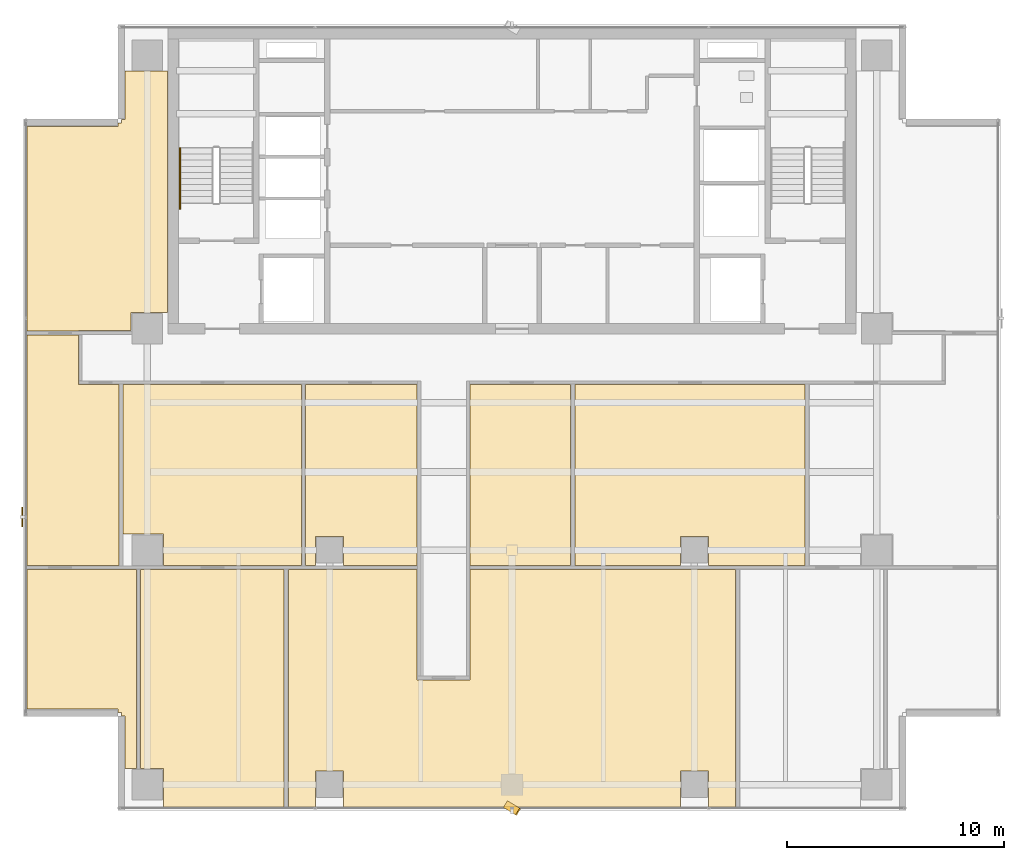
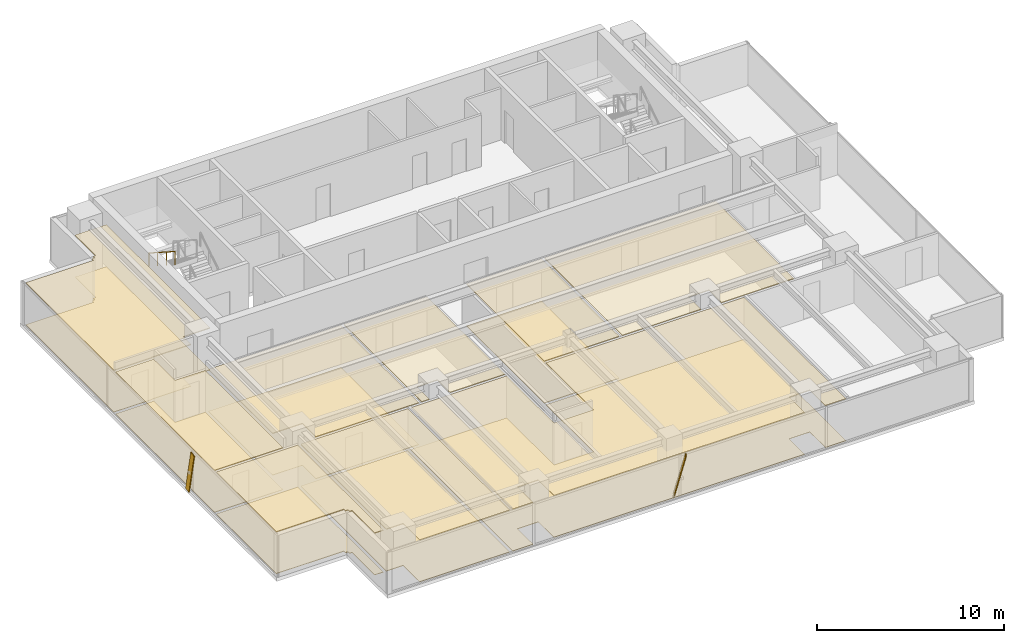
# One storey, part 22 of 25: 16 coverings, 2 shading devices, 1 railing.
"""IFC4 building model written with IfcOpenShell, lengths in metres."""

from ifc_helpers import new_model, si_unit, direction, frame, origin, origin_2d, place, context, subcontext, project, spatial, polyline, rectangle, outline, extrude, source, transform, mapped, material, layer, layer_set, material_profile, profile_set, type_object, element, save


model = new_model("IFC4")

# Units and contexts
model_context = context("Model", 3, precision=1e-05, world=origin(), true_north=direction((0.0, 1.0)))
body_context = subcontext(model_context, "Body", "Model", "MODEL_VIEW")
ifc_project = project(units=[si_unit("LENGTHUNIT", "METRE"), si_unit("AREAUNIT", "SQUARE_METRE"), si_unit("VOLUMEUNIT", "CUBIC_METRE"), si_unit("PLANEANGLEUNIT", "RADIAN"), si_unit("MASSUNIT", "GRAM", prefix="KILO")], contexts=[model_context])

# Site, building, storey
site_placement = place(None, origin())
site = spatial("IfcSite", under=ifc_project, at=site_placement, CompositionType="ELEMENT")
building_placement = place(site_placement, origin())
building = spatial("IfcBuilding", under=site, at=building_placement, Name="Sumidabori Civic Tower", CompositionType="ELEMENT")
storey_placement = place(building_placement, frame((0.0, 0.0, 246.800048828125)))
storey = spatial("IfcBuildingStorey", under=building, at=storey_placement, Name="L64", CompositionType="ELEMENT", Elevation=246.800048828125)

# Coverings
ifc_material_1 = material(Name="Anodised Bronze Baffle Ceiling")
ifc_layer_1 = layer(ifc_material_1, 0.054931640625, Name="Anodised Bronze Baffle Ceiling")
ifc_layer_set_1 = layer_set([ifc_layer_1], Name="Anodised Bronze Baffle Ceiling")
covering_type_1 = type_object("IfcCoveringType", Name="CV-CEIL-AC3", PredefinedType="CEILING", material=ifc_layer_set_1)
covering_1_placement = place(storey_placement, frame((0.0, 0.0, 2.719970703125)))
element("IfcCovering", 1, at=covering_1_placement, inside=storey, type_object=covering_type_1, Name="Room Acoustic Ceiling L64-01", PredefinedType="CEILING", context=body_context, shape_type="SweptSolid", body=[
    extrude(outline(polyline([(-22.330078125, 10.094970703125), (-22.330078125, 19.52197265625), (-18.14208984375, 19.52197265625), (-18.14208984375, 19.679931640625), (-17.97998046875, 19.679931640625), (-17.97998046875, 19.842041015625), (-17.822021484375, 19.842041015625), (-17.822021484375, 22.06005859375), (-15.8779296875, 22.06005859375), (-15.8779296875, 10.93994140625), (-17.5400390625, 10.93994140625), (-17.5400390625, 10.1201171875), (-19.969970703125, 10.1201171875), (-19.969970703125, 10.094970703125), (-22.330078125, 10.094970703125)])), origin(), (0.0, 0.0, 1.0), 0.054931640625),
])
covering_2_placement = place(storey_placement, frame((0.0, 0.0, 2.719970703125)))
element("IfcCovering", 2, at=covering_2_placement, inside=storey, type_object=covering_type_1, Name="Room Acoustic Ceiling L64-03", PredefinedType="CEILING", context=body_context, shape_type="SweptSolid", body=[
    extrude(outline(polyline([(-19.969970703125, 7.6298828125), (-18.094970703125, 7.6298828125), (-18.094970703125, -0.705078125), (-22.330078125, -0.705078125), (-22.330078125, 9.905029296875), (-19.969970703125, 9.905029296875), (-19.969970703125, 7.6298828125)])), origin(), (0.0, 0.0, 1.0), 0.054931640625),
])
covering_3_placement = place(storey_placement, frame((0.0, 0.0, 2.719970703125)))
element("IfcCovering", 3, at=covering_3_placement, inside=storey, type_object=covering_type_1, Name="Room Acoustic Ceiling L64-05", PredefinedType="CEILING", context=body_context, shape_type="SweptSolid", body=[
    extrude(outline(polyline([(-17.905029296875, 7.6298828125), (-9.695068359375, 7.6298828125), (-9.695068359375, -0.705078125), (-16.06005859375, -0.705078125), (-16.06005859375, 0.739990234375), (-17.905029296875, 0.739990234375), (-17.905029296875, 7.6298828125)])), origin(), (0.0, 0.0, 1.0), 0.054931640625),
])
covering_4_placement = place(storey_placement, frame((0.0, 0.0, 2.719970703125)))
element("IfcCovering", 4, at=covering_4_placement, inside=storey, type_object=covering_type_1, Name="Room Acoustic Ceiling L64-06", PredefinedType="CEILING", context=body_context, shape_type="SweptSolid", body=[
    extrude(outline(polyline([(-9.5048828125, 7.6298828125), (-4.3701171875, 7.6298828125), (-4.3701171875, -0.705078125), (-7.760009765625, -0.705078125), (-7.760009765625, 0.639892578125), (-9.0400390625, 0.639892578125), (-9.0400390625, -0.705078125), (-9.5048828125, -0.705078125), (-9.5048828125, 7.6298828125)])), origin(), (0.0, 0.0, 1.0), 0.054931640625),
])
covering_5_placement = place(storey_placement, frame((0.0, 0.0, 2.719970703125)))
element("IfcCovering", 5, at=covering_5_placement, inside=storey, type_object=covering_type_1, Name="Room Acoustic Ceiling L64-07", PredefinedType="CEILING", context=body_context, shape_type="SweptSolid", body=[
    extrude(outline(polyline([(-1.929931640625, 7.6298828125), (2.705078125, 7.6298828125), (2.705078125, -0.705078125), (-1.929931640625, -0.705078125), (-1.929931640625, 7.6298828125)])), origin(), (0.0, 0.0, 1.0), 0.054931640625),
])
covering_6_placement = place(storey_placement, frame((0.0, 0.0, 2.719970703125)))
element("IfcCovering", 6, at=covering_6_placement, inside=storey, type_object=covering_type_1, Name="Room Acoustic Ceiling L64-08", PredefinedType="CEILING", context=body_context, shape_type="SweptSolid", body=[
    extrude(outline(polyline([(2.89501953125, 7.6298828125), (13.5048828125, 7.6298828125), (13.5048828125, -0.705078125), (9.0400390625, -0.705078125), (9.0400390625, 0.639892578125), (7.760009765625, 0.639892578125), (7.760009765625, -0.705078125), (2.89501953125, -0.705078125), (2.89501953125, 7.6298828125)])), origin(), (0.0, 0.0, 1.0), 0.054931640625),
])
covering_7_placement = place(storey_placement, frame((0.0, 0.0, 2.719970703125)))
element("IfcCovering", 7, at=covering_7_placement, inside=storey, type_object=covering_type_1, Name="Room Acoustic Ceiling L64-09", PredefinedType="CEILING", context=body_context, shape_type="SweptSolid", body=[
    extrude(outline(polyline([(-22.330078125, -7.322021484375), (-22.330078125, -0.89501953125), (-17.294921875, -0.89501953125), (-17.294921875, -10.06005859375), (-17.822021484375, -10.06005859375), (-17.822021484375, -7.64208984375), (-17.97998046875, -7.64208984375), (-17.97998046875, -7.47998046875), (-18.14208984375, -7.47998046875), (-18.14208984375, -7.322021484375), (-22.330078125, -7.322021484375)])), origin(), (0.0, 0.0, 1.0), 0.054931640625),
])
covering_8_placement = place(storey_placement, frame((0.0, 0.0, 2.719970703125)))
element("IfcCovering", 8, at=covering_8_placement, inside=storey, type_object=covering_type_1, Name="Room Acoustic Ceiling L64-11", PredefinedType="CEILING", context=body_context, shape_type="SweptSolid", body=[
    extrude(outline(polyline([(-16.06005859375, -10.06005859375), (-17.10498046875, -10.06005859375), (-17.10498046875, -0.89501953125), (-10.4951171875, -0.89501953125), (-10.4951171875, -11.830078125), (-16.06005859375, -11.830078125), (-16.06005859375, -10.06005859375)])), origin(), (0.0, 0.0, 1.0), 0.054931640625),
])
covering_9_placement = place(storey_placement, frame((0.0, 0.0, 2.719970703125)))
element("IfcCovering", 9, at=covering_9_placement, inside=storey, type_object=covering_type_1, Name="Room Acoustic Ceiling L64-13", PredefinedType="CEILING", context=body_context, shape_type="SweptSolid", body=[
    extrude(outline(polyline([(-4.3701171875, -5.969970703125), (-1.929931640625, -5.969970703125), (-1.929931640625, -0.89501953125), (10.304931640625, -0.89501953125), (10.304931640625, -11.830078125), (9.0400390625, -11.830078125), (9.0400390625, -10.159912109375), (7.760009765625, -10.159912109375), (7.760009765625, -11.830078125), (-7.760009765625, -11.830078125), (-7.760009765625, -10.159912109375), (-9.0400390625, -10.159912109375), (-9.0400390625, -11.830078125), (-10.304931640625, -11.830078125), (-10.304931640625, -0.89501953125), (-4.3701171875, -0.89501953125), (-4.3701171875, -5.969970703125)])), origin(), (0.0, 0.0, 1.0), 0.054931640625),
])
ifc_material_2 = material(Name="Honed Terrazzo Tile Flooring")
ifc_layer_2 = layer(ifc_material_2, 0.030029296875, Name="Honed Terrazzo Tile Flooring")
ifc_layer_set_2 = layer_set([ifc_layer_2], Name="Honed Terrazzo Tile Flooring")
covering_type_2 = type_object("IfcCoveringType", Name="CV-FLR-TER", PredefinedType="FLOORING", material=ifc_layer_set_2)
covering_10_placement = place(storey_placement, origin())
element("IfcCovering", 10, at=covering_10_placement, inside=storey, type_object=covering_type_2, Name="Room Terrazzo Floor L64-01", PredefinedType="FLOORING", context=body_context, shape_type="SweptSolid", body=[
    extrude(outline(polyline([(-22.330078125, 10.094970703125), (-22.330078125, 19.52197265625), (-18.14208984375, 19.52197265625), (-18.14208984375, 19.679931640625), (-17.97998046875, 19.679931640625), (-17.97998046875, 19.842041015625), (-17.822021484375, 19.842041015625), (-17.822021484375, 22.06005859375), (-15.8779296875, 22.06005859375), (-15.8779296875, 10.93994140625), (-17.5400390625, 10.93994140625), (-17.5400390625, 10.1201171875), (-19.969970703125, 10.1201171875), (-19.969970703125, 10.094970703125), (-22.330078125, 10.094970703125)])), origin(), (0.0, 0.0, 1.0), 0.030029296875),
])
covering_11_placement = place(storey_placement, origin())
element("IfcCovering", 11, at=covering_11_placement, inside=storey, type_object=covering_type_2, Name="Room Terrazzo Floor L64-03", PredefinedType="FLOORING", context=body_context, shape_type="SweptSolid", body=[
    extrude(outline(polyline([(-19.969970703125, 7.6298828125), (-18.094970703125, 7.6298828125), (-18.094970703125, -0.705078125), (-22.330078125, -0.705078125), (-22.330078125, 9.905029296875), (-19.969970703125, 9.905029296875), (-19.969970703125, 7.6298828125)])), origin(), (0.0, 0.0, 1.0), 0.030029296875),
])
covering_12_placement = place(storey_placement, origin())
element("IfcCovering", 12, at=covering_12_placement, inside=storey, type_object=covering_type_2, Name="Room Terrazzo Floor L64-05", PredefinedType="FLOORING", context=body_context, shape_type="SweptSolid", body=[
    extrude(outline(polyline([(-17.905029296875, 7.6298828125), (-9.695068359375, 7.6298828125), (-9.695068359375, -0.705078125), (-16.06005859375, -0.705078125), (-16.06005859375, 0.739990234375), (-17.905029296875, 0.739990234375), (-17.905029296875, 7.6298828125)])), origin(), (0.0, 0.0, 1.0), 0.030029296875),
])
covering_13_placement = place(storey_placement, origin())
element("IfcCovering", 13, at=covering_13_placement, inside=storey, type_object=covering_type_2, Name="Room Terrazzo Floor L64-07", PredefinedType="FLOORING", context=body_context, shape_type="SweptSolid", body=[
    extrude(outline(polyline([(-1.929931640625, 7.6298828125), (2.705078125, 7.6298828125), (2.705078125, -0.705078125), (-1.929931640625, -0.705078125), (-1.929931640625, 7.6298828125)])), origin(), (0.0, 0.0, 1.0), 0.030029296875),
])
covering_14_placement = place(storey_placement, origin())
element("IfcCovering", 14, at=covering_14_placement, inside=storey, type_object=covering_type_2, Name="Room Terrazzo Floor L64-09", PredefinedType="FLOORING", context=body_context, shape_type="SweptSolid", body=[
    extrude(outline(polyline([(-22.330078125, -7.322021484375), (-22.330078125, -0.89501953125), (-17.294921875, -0.89501953125), (-17.294921875, -10.06005859375), (-17.822021484375, -10.06005859375), (-17.822021484375, -7.64208984375), (-17.97998046875, -7.64208984375), (-17.97998046875, -7.47998046875), (-18.14208984375, -7.47998046875), (-18.14208984375, -7.322021484375), (-22.330078125, -7.322021484375)])), origin(), (0.0, 0.0, 1.0), 0.030029296875),
])
covering_15_placement = place(storey_placement, origin())
element("IfcCovering", 15, at=covering_15_placement, inside=storey, type_object=covering_type_2, Name="Room Terrazzo Floor L64-11", PredefinedType="FLOORING", context=body_context, shape_type="SweptSolid", body=[
    extrude(outline(polyline([(-16.06005859375, -10.06005859375), (-17.10498046875, -10.06005859375), (-17.10498046875, -0.89501953125), (-10.4951171875, -0.89501953125), (-10.4951171875, -11.830078125), (-16.06005859375, -11.830078125), (-16.06005859375, -10.06005859375)])), origin(), (0.0, 0.0, 1.0), 0.030029296875),
])
covering_16_placement = place(storey_placement, origin())
element("IfcCovering", 16, at=covering_16_placement, inside=storey, type_object=covering_type_2, Name="Room Terrazzo Floor L64-13", PredefinedType="FLOORING", context=body_context, shape_type="SweptSolid", body=[
    extrude(outline(polyline([(-4.3701171875, -5.969970703125), (-1.929931640625, -5.969970703125), (-1.929931640625, -0.89501953125), (10.304931640625, -0.89501953125), (10.304931640625, -11.830078125), (9.0400390625, -11.830078125), (9.0400390625, -10.159912109375), (7.760009765625, -10.159912109375), (7.760009765625, -11.830078125), (-7.760009765625, -11.830078125), (-7.760009765625, -10.159912109375), (-9.0400390625, -10.159912109375), (-9.0400390625, -11.830078125), (-10.304931640625, -11.830078125), (-10.304931640625, -0.89501953125), (-4.3701171875, -0.89501953125), (-4.3701171875, -5.969970703125)])), origin(), (0.0, 0.0, 1.0), 0.030029296875),
])

# Railing
ifc_material_3 = material(Name="Stainless Steel Hairline Finish", Category="steel")
railing_type = type_object("IfcRailingType", Name="RL-HANDRAIL", PredefinedType="HANDRAIL", material=ifc_material_3)
railing_placement = place(storey_placement, frame((-15.2900390625, 18.52001953125, 1.97998046875)))
element("IfcRailing", 17, at=railing_placement, inside=storey, type_object=railing_type, Name="L64 ST-1 stair handrail 2", PredefinedType="HANDRAIL", context=body_context, shape_type="SweptSolid", body=[
    extrude(rectangle(XDim=0.048095703125, YDim=0.048095703125, at=origin_2d()), frame((0.0, 0.0, 0.8759765625), z_axis=(0.0, -0.840675598268, 0.541539046124), x_axis=(1.0, 0.0, 0.0)), (0.0, 0.0, 1.0), 3.330810546875),
    extrude(rectangle(XDim=0.0419921875, YDim=0.0419921875, at=origin_2d()), origin(), (0.0, 0.0, 1.0), 0.851806640625),
    extrude(rectangle(XDim=0.0419921875, YDim=0.0419921875, at=origin_2d()), frame((0.0, -0.933349609375, 0.601318359375)), (0.0, 0.0, 1.0), 0.851806640625),
    extrude(rectangle(XDim=0.0419921875, YDim=0.0419921875, at=origin_2d()), frame((0.0, -1.86669921875, 1.202392578125)), (0.0, 0.0, 1.0), 0.851806640625),
    extrude(rectangle(XDim=0.0419921875, YDim=0.0419921875, at=origin_2d()), frame((0.0, -2.800048828125, 1.8037109375)), (0.0, 0.0, 1.0), 0.851806640625),
])

# Shading devices
ifc_material_4 = material(Name="Anodised Bronze Aluminium AW-6063-T6", Category="aluminium")
ifc_material_profile = material_profile(ifc_material_4, rectangle(XDim=0.054931640625, YDim=0.360107421875, at=origin_2d()), Name="BRONZE FIN 360x55")
ifc_profile_set = profile_set([ifc_material_profile], Name="Anodised Bronze Aluminium AW-6063-T6")
shading_device_type = type_object("IfcShadingDeviceType", Name="SH-FIN-360", PredefinedType="USERDEFINED", material=ifc_profile_set)
shared_shape_1 = source(origin(), body_context, "Body", "SweptSolid", [
    extrude(rectangle(XDim=0.054931640625, YDim=0.360107421875, at=origin_2d()), origin(), (0.0, 0.0, 1.0), 2.7685546875),
])
shading_device_1_placement = place(storey_placement, frame((-0.280029296875, -11.7099609375, 0.02001953125), z_axis=(0.202289930374, -0.122837782481, 0.971591304646), x_axis=(0.830469701518, -0.504291322674, -0.236665030656)))
element("IfcShadingDevice", 18, at=shading_device_1_placement, inside=storey, type_object=shading_device_type, Name="Bronze Anodised Diagonal Fin L64-02", ObjectType="FIN", PredefinedType="USERDEFINED", context=body_context, shape_type="MappedRepresentation", body=[
    mapped(shared_shape_1, transform((0.0, 0.0, 0.0), x_axis=(1.0, 0.0, 0.0), y_axis=(0.0, 1.0, 0.0), z_axis=(0.0, 0.0, 1.0), scale=1.0)),
])
shared_shape_2 = source(origin(), body_context, "Body", "SweptSolid", [
    extrude(rectangle(XDim=0.054931640625, YDim=0.360107421875, at=origin_2d()), origin(), (0.0, 0.0, 1.0), 2.74755859375),
])
shading_device_2_placement = place(storey_placement, frame((-22.550048828125, 1.806640625, 0.02001953125), z_axis=(0.0, -0.20383361069, 0.979005546028), x_axis=(-1.0, 0.0, 0.0)))
element("IfcShadingDevice", 19, at=shading_device_2_placement, inside=storey, type_object=shading_device_type, Name="Bronze Anodised Diagonal Fin L64-02", ObjectType="FIN", PredefinedType="USERDEFINED", context=body_context, shape_type="MappedRepresentation", body=[
    mapped(shared_shape_2, transform((0.0, 0.0, 0.0), x_axis=(1.0, 0.0, 0.0), y_axis=(0.0, 1.0, 0.0), z_axis=(0.0, 0.0, 1.0), scale=1.0)),
])

save(model, "model.ifc")
